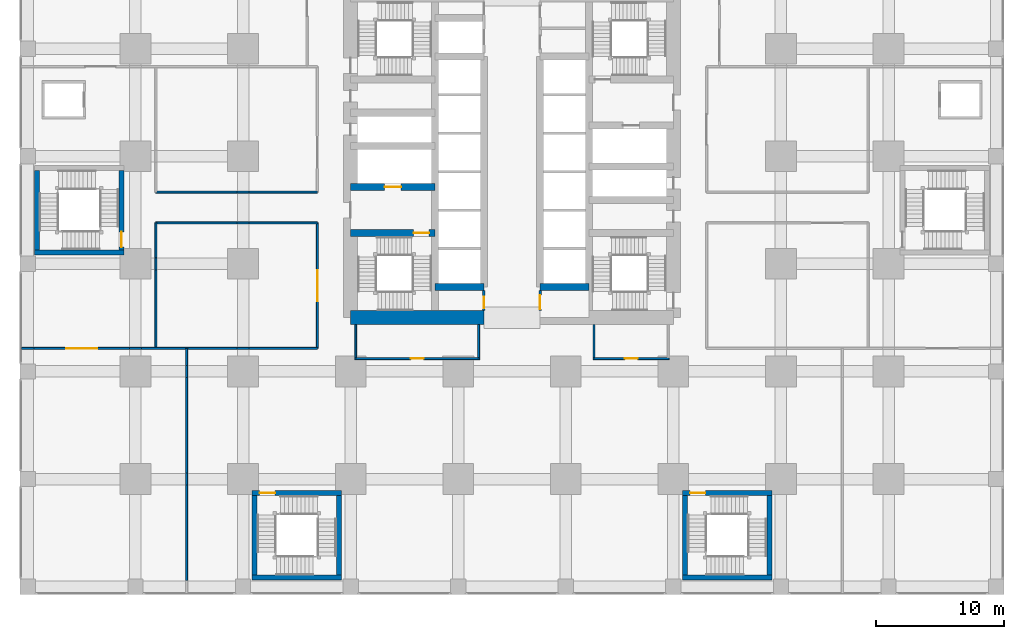
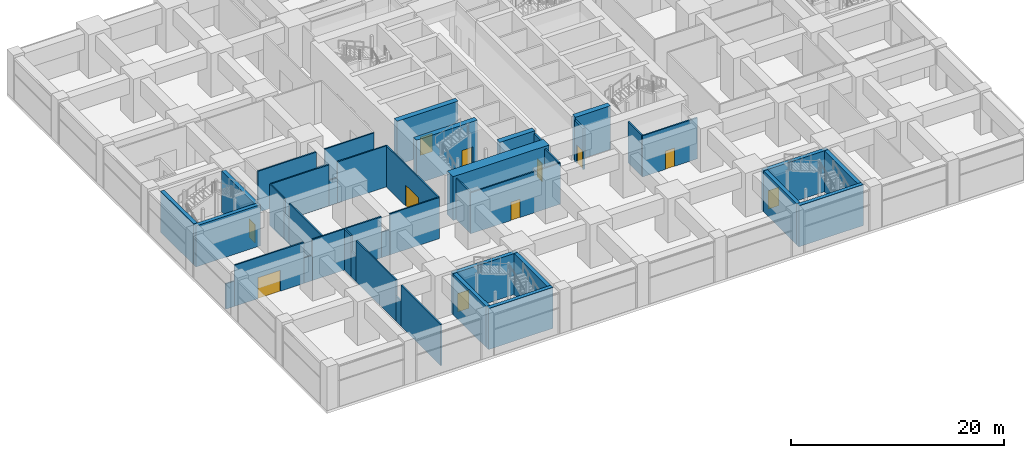
# One storey, part 36 of 49: 45 walls, 11 doors, 11 openings.
"""IFC4 building model written with IfcOpenShell, lengths in metres."""

from ifc_helpers import new_model, si_unit, direction, frame, frame_2d, origin, place, context, subcontext, project, spatial, rectangle, extrude, material, layer, layer_set, type_object, element, fill, save


model = new_model("IFC4")

# Units and contexts
model_context = context("Model", 3, precision=1e-05, world=origin(), true_north=direction((0.0, 1.0)))
body_context = subcontext(model_context, "Body", "Model", "MODEL_VIEW")
ifc_project = project(units=[si_unit("LENGTHUNIT", "METRE"), si_unit("AREAUNIT", "SQUARE_METRE"), si_unit("VOLUMEUNIT", "CUBIC_METRE"), si_unit("PLANEANGLEUNIT", "RADIAN"), si_unit("MASSUNIT", "GRAM", prefix="KILO")], contexts=[model_context])

# Site, building, storey
site_placement = place(None, origin())
site = spatial("IfcSite", under=ifc_project, at=site_placement, CompositionType="ELEMENT")
building_placement = place(site_placement, origin())
building = spatial("IfcBuilding", under=site, at=building_placement, Name="Rekha Terrace Tower", CompositionType="ELEMENT")
storey_placement = place(building_placement, frame((0.0, 0.0, 10.39990234375)))
storey = spatial("IfcBuildingStorey", under=building, at=storey_placement, Name="L02", CompositionType="ELEMENT", Elevation=10.39990234375)

# Walls
ifc_material_1 = material(Name="Concrete M70", Category="concrete")
ifc_layer_1 = layer(ifc_material_1, 0.550048828125)
ifc_layer_set_1 = layer_set([ifc_layer_1], Name="Concrete M70")
wall_type_1 = type_object("IfcWallType", Name="CI1 550 core internal shear wall", PredefinedType="SHEAR", material=ifc_layer_set_1)
for number, where, z_axis, x_axis, name in (
    (1, (31.800048828125, 23.39990234375, 0.0), (0.0, 0.0, 1.0), (1.0, 0.0, 0.0), "Core wall Y234W L02"),
    (2, (40.0, 23.39990234375, 0.0), (0.0, 0.0, 1.0), (1.0, 0.0, 0.0), "Core wall Y234E L02"),
):
    element("IfcWall", number, at=place(storey_placement, frame(where, z_axis=z_axis, x_axis=x_axis)), inside=storey, type_object=wall_type_1, Name=name, PredefinedType="SHEAR", context=body_context, shape_type="SweptSolid", body=[
        extrude(rectangle(XDim=3.800048828125, YDim=0.550048828125, at=frame_2d((1.89990234375, 0.0))), origin(), (0.0, 0.0, 1.0), 5.0),
    ])

# Wall, opening, door
wall_1_placement = place(storey_placement, frame((25.199951171875, 27.60009765625, 0.0), z_axis=(0.0, 0.0, 1.0), x_axis=(1.0, 0.0, 0.0)))
wall_1 = element("IfcWall", 3, at=wall_1_placement, inside=storey, type_object=wall_type_1, Name="Core wall Y276W L02", PredefinedType="SHEAR", context=body_context, shape_type="SweptSolid", body=[
    extrude(rectangle(XDim=6.60009765625, YDim=0.550048828125, at=frame_2d((3.300048828125, 0.0))), origin(), (0.0, 0.0, 1.0), 5.0),
])
opening_1_placement = place(wall_1_placement, frame((4.925048828125, 0.0, 0.0)))
opening_1 = element("IfcOpeningElement", 4, at=opening_1_placement, cuts=wall_1, Name="Opening D1", PredefinedType="OPENING", context=body_context, shape_type="SweptSolid", body=[
    extrude(rectangle(XDim=1.199951171875, YDim=2.10009765625, at=frame_2d((0.60009765625, 1.050048828125))), frame((0.0, 0.284912109375, 0.0), z_axis=(0.0, -1.0, 0.0), x_axis=(1.0, 0.0, 0.0)), (0.0, 0.0, 1.0), 0.570068359375),
])
ifc_material_2 = material(Name="Steel fire door", Category="steel")
door_type_1 = type_object("IfcDoorType", Name="D1 1200x2100 stair fire door", OperationType="SINGLE_SWING_RIGHT", PredefinedType="DOOR", material=ifc_material_2)
door_1_placement = place(opening_1_placement, origin())
door_1 = element("IfcDoor", 5, at=door_1_placement, inside=storey, type_object=door_type_1, Name="Stair ST1 door L02", OperationType="SINGLE_SWING_RIGHT", OverallHeight=2.10009765625, OverallWidth=1.199951171875, PredefinedType="DOOR", context=body_context, shape_type="SweptSolid", body=[
    extrude(rectangle(XDim=1.199951171875, YDim=2.10009765625, at=frame_2d((0.60009765625, 1.050048828125))), frame((0.0, 0.02490234375, 0.0), z_axis=(0.0, -1.0, 0.0), x_axis=(1.0, 0.0, 0.0)), (0.0, 0.0, 1.0), 0.050048828125),
])
fill(opening_1, door_1)

wall_2_placement = place(storey_placement, frame((25.199951171875, 31.199951171875, 0.0), z_axis=(0.0, 0.0, 1.0), x_axis=(1.0, 0.0, 0.0)))
wall_2 = element("IfcWall", 6, at=wall_2_placement, inside=storey, type_object=wall_type_1, Name="Core wall Y312W L02", PredefinedType="SHEAR", context=body_context, shape_type="SweptSolid", body=[
    extrude(rectangle(XDim=6.60009765625, YDim=0.550048828125, at=frame_2d((3.300048828125, 0.0))), origin(), (0.0, 0.0, 1.0), 5.0),
])
opening_2_placement = place(wall_2_placement, frame((2.64990234375, 0.0, 0.0)))
opening_2 = element("IfcOpeningElement", 7, at=opening_2_placement, cuts=wall_2, Name="Opening LD2", PredefinedType="OPENING", context=body_context, shape_type="SweptSolid", body=[
    extrude(rectangle(XDim=1.300048828125, YDim=2.10009765625, at=frame_2d((0.64990234375, 1.050048828125))), frame((0.0, 0.284912109375, 0.0), z_axis=(0.0, -1.0, 0.0), x_axis=(1.0, 0.0, 0.0)), (0.0, 0.0, 1.0), 0.570068359375),
])
ifc_material_3 = material(Name="Stainless steel sliding landing door", Category="steel")
door_type_2 = type_object("IfcDoorType", Name="LD2 1300x2100 fire lift landing door", OperationType="SLIDING_TO_LEFT", PredefinedType="USERDEFINED", material=ifc_material_3)
door_2_placement = place(opening_2_placement, origin())
door_2 = element("IfcDoor", 8, at=door_2_placement, inside=storey, type_object=door_type_2, Name="Lift FL1 landing door L02", ObjectType="LIFT LANDING DOOR", OperationType="SLIDING_TO_LEFT", OverallHeight=2.10009765625, OverallWidth=1.300048828125, PredefinedType="USERDEFINED", context=body_context, shape_type="SweptSolid", body=[
    extrude(rectangle(XDim=1.300048828125, YDim=2.10009765625, at=frame_2d((0.64990234375, 1.050048828125))), frame((0.0, 0.02490234375, 0.0), z_axis=(0.0, -1.0, 0.0), x_axis=(1.0, 0.0, 0.0)), (0.0, 0.0, 1.0), 0.050048828125),
])
fill(opening_2, door_2)

# Wall
ifc_layer_2 = layer(ifc_material_1, 1.10009765625)
ifc_layer_set_2 = layer_set([ifc_layer_2], Name="Concrete M70")
wall_type_2 = type_object("IfcWallType", Name="SW1 1100 core outer shear wall", PredefinedType="SHEAR", material=ifc_layer_set_2)
wall_3_placement = place(storey_placement, frame((25.199951171875, 21.0, 0.0), z_axis=(0.0, 0.0, 1.0), x_axis=(1.0, 0.0, 0.0)))
element("IfcWall", 9, at=wall_3_placement, inside=storey, type_object=wall_type_2, Name="Core wall S1 L02", PredefinedType="SHEAR", context=body_context, shape_type="SweptSolid", body=[
    extrude(rectangle(XDim=10.400146484375, YDim=1.10009765625, at=frame_2d((5.2001953125, 0.0))), origin(), (0.0, 0.0, 1.0), 5.0),
])

# Wall, opening, door
ifc_material_4 = material(Name="Concrete block masonry, 1 hour", Category="masonry")
ifc_layer_3 = layer(ifc_material_4, 0.14990234375)
ifc_layer_set_3 = layer_set([ifc_layer_3], Name="Concrete block masonry, 1 hour")
wall_type_3 = type_object("IfcWallType", Name="WP2 150 tenancy partition", PredefinedType="PARTITIONING", material=ifc_layer_set_3)
wall_4_placement = place(storey_placement, frame((25.52490234375, 17.800048828125, 0.0), z_axis=(0.0, 0.0, 1.0), x_axis=(1.0, 0.0, 0.0)))
wall_4 = element("IfcWall", 10, at=wall_4_placement, inside=storey, type_object=wall_type_3, Name="Men's WC wall L02", PredefinedType="PARTITIONING", context=body_context, shape_type="SweptSolid", body=[
    extrude(rectangle(XDim=9.75, YDim=0.14990234375, at=frame_2d((4.875, 0.0))), origin(), (0.0, 0.0, 1.0), 4.7001953125),
])
opening_3_placement = place(wall_4_placement, frame((4.375, 0.0, 0.0)))
opening_3 = element("IfcOpeningElement", 11, at=opening_3_placement, cuts=wall_4, Name="Opening D3", PredefinedType="OPENING", context=body_context, shape_type="SweptSolid", body=[
    extrude(rectangle(XDim=1.0, YDim=2.10009765625, at=frame_2d((0.5, 1.050048828125))), frame((0.0, 0.0849609375, 0.0), z_axis=(0.0, -1.0, 0.0), x_axis=(1.0, 0.0, 0.0)), (0.0, 0.0, 1.0), 0.169921875),
])
ifc_material_5 = material(Name="Laminated timber fire door", Category="wood")
door_type_3 = type_object("IfcDoorType", Name="D3 1000x2100 WC door", OperationType="SINGLE_SWING_LEFT", PredefinedType="DOOR", material=ifc_material_5)
door_3_placement = place(opening_3_placement, origin())
door_3 = element("IfcDoor", 12, at=door_3_placement, inside=storey, type_object=door_type_3, Name="Door men's wc L02", OperationType="SINGLE_SWING_LEFT", OverallHeight=2.10009765625, OverallWidth=1.0, PredefinedType="DOOR", context=body_context, shape_type="SweptSolid", body=[
    extrude(rectangle(XDim=1.0, YDim=2.10009765625, at=frame_2d((0.5, 1.050048828125))), frame((0.0, 0.02490234375, 0.0), z_axis=(0.0, -1.0, 0.0), x_axis=(1.0, 0.0, 0.0)), (0.0, 0.0, 1.0), 0.050048828125),
])
fill(opening_3, door_3)

# Walls
for number, where, z_axis, x_axis, name in (
    (13, (25.60009765625, 17.875, 0.0), (0.0, 0.0, 1.0), (0.0, 1.0, 0.0), "Men's WC wall L02"),
    (14, (35.199951171875, 17.875, 0.0), (0.0, 0.0, 1.0), (0.0, 1.0, 0.0), "Men's WC wall L02"),
):
    element("IfcWall", number, at=place(storey_placement, frame(where, z_axis=z_axis, x_axis=x_axis)), inside=storey, type_object=wall_type_3, Name=name, PredefinedType="PARTITIONING", context=body_context, shape_type="SweptSolid", body=[
        extrude(rectangle(XDim=2.574951171875, YDim=0.14990234375, at=frame_2d((1.28759765625, 0.0))), origin(), (0.0, 0.0, 1.0), 4.7001953125),
    ])

# Wall, opening, door
wall_5_placement = place(storey_placement, frame((44.125, 17.800048828125, 0.0), z_axis=(0.0, 0.0, 1.0), x_axis=(1.0, 0.0, 0.0)))
wall_5 = element("IfcWall", 15, at=wall_5_placement, inside=storey, type_object=wall_type_3, Name="Men's WC wall L02", PredefinedType="PARTITIONING", context=body_context, shape_type="SweptSolid", body=[
    extrude(rectangle(XDim=5.949951171875, YDim=0.14990234375, at=frame_2d((2.97509765625, 0.0))), origin(), (0.0, 0.0, 1.0), 4.7001953125),
])
opening_4_placement = place(wall_5_placement, frame((2.47509765625, 0.0, 0.0)))
opening_4 = element("IfcOpeningElement", 16, at=opening_4_placement, cuts=wall_5, Name="Opening D3", PredefinedType="OPENING", context=body_context, shape_type="SweptSolid", body=[
    extrude(rectangle(XDim=1.0, YDim=2.10009765625, at=frame_2d((0.5, 1.050048828125))), frame((0.0, 0.0849609375, 0.0), z_axis=(0.0, -1.0, 0.0), x_axis=(1.0, 0.0, 0.0)), (0.0, 0.0, 1.0), 0.169921875),
])
door_4_placement = place(opening_4_placement, origin())
door_4 = element("IfcDoor", 17, at=door_4_placement, inside=storey, type_object=door_type_3, Name="Door men's wc L02", OperationType="SINGLE_SWING_LEFT", OverallHeight=2.10009765625, OverallWidth=1.0, PredefinedType="DOOR", context=body_context, shape_type="SweptSolid", body=[
    extrude(rectangle(XDim=1.0, YDim=2.10009765625, at=frame_2d((0.5, 1.050048828125))), frame((0.0, 0.02490234375, 0.0), z_axis=(0.0, -1.0, 0.0), x_axis=(1.0, 0.0, 0.0)), (0.0, 0.0, 1.0), 0.050048828125),
])
fill(opening_4, door_4)

# Walls
wall_6_placement = place(storey_placement, frame((44.199951171875, 17.875, 0.0), z_axis=(0.0, 0.0, 1.0), x_axis=(0.0, 1.0, 0.0)))
element("IfcWall", 18, at=wall_6_placement, inside=storey, type_object=wall_type_3, Name="Men's WC wall L02", PredefinedType="PARTITIONING", context=body_context, shape_type="SweptSolid", body=[
    extrude(rectangle(XDim=2.574951171875, YDim=0.14990234375, at=frame_2d((1.28759765625, 0.0))), origin(), (0.0, 0.0, 1.0), 4.7001953125),
])
wall_7_placement = place(storey_placement, frame((-0.489990234375, 18.60009765625, 0.0), z_axis=(0.0, 0.0, 1.0), x_axis=(1.0, 0.0, 0.0)))
element("IfcWall", 19, at=wall_7_placement, inside=storey, type_object=wall_type_3, Name="Partition L02-04", PredefinedType="PARTITIONING", context=body_context, shape_type="SweptSolid", body=[
    extrude(rectangle(XDim=0.949951171875, YDim=0.14990234375, at=frame_2d((0.47509765625, 0.0))), origin(), (0.0, 0.0, 1.0), 2.900146484375),
])

# Wall, opening, door
wall_8_placement = place(storey_placement, frame((0.4599609375, 18.60009765625, 0.0), z_axis=(0.0, 0.0, 1.0), x_axis=(1.0, 0.0, 0.0)))
wall_8 = element("IfcWall", 20, at=wall_8_placement, inside=storey, type_object=wall_type_3, Name="Partition L02-04", PredefinedType="PARTITIONING", context=body_context, shape_type="SweptSolid", body=[
    extrude(rectangle(XDim=7.47998046875, YDim=0.14990234375, at=frame_2d((3.739990234375, 0.0))), origin(), (0.0, 0.0, 1.0), 4.7001953125),
])
opening_5_placement = place(wall_8_placement, frame((2.5400390625, 0.0, 0.0)))
opening_5 = element("IfcOpeningElement", 21, at=opening_5_placement, cuts=wall_8, Name="Opening D7", PredefinedType="OPENING", context=body_context, shape_type="SweptSolid", body=[
    extrude(rectangle(XDim=2.39990234375, YDim=2.39990234375, at=frame_2d((1.199951171875, 1.199951171875))), frame((0.0, 0.0849609375, 0.0), z_axis=(0.0, -1.0, 0.0), x_axis=(1.0, 0.0, 0.0)), (0.0, 0.0, 1.0), 0.169921875),
])
ifc_material_6 = material(Name="Glazed aluminium door", Category="aluminium")
door_type_4 = type_object("IfcDoorType", Name="D7 2400x2400 shopfront double door", OperationType="DOUBLE_DOOR_SINGLE_SWING", PredefinedType="DOOR", material=ifc_material_6)
door_5_placement = place(opening_5_placement, origin())
door_5 = element("IfcDoor", 22, at=door_5_placement, inside=storey, type_object=door_type_4, Name="Door retail unit 11 L02", OperationType="DOUBLE_DOOR_SINGLE_SWING", OverallHeight=2.39990234375, OverallWidth=2.39990234375, PredefinedType="DOOR", context=body_context, shape_type="SweptSolid", body=[
    extrude(rectangle(XDim=2.39990234375, YDim=2.39990234375, at=frame_2d((1.199951171875, 1.199951171875))), frame((0.0, 0.02490234375, 0.0), z_axis=(0.0, -1.0, 0.0), x_axis=(1.0, 0.0, 0.0)), (0.0, 0.0, 1.0), 0.050048828125),
])
fill(opening_5, door_5)

# Walls
wall_9_placement = place(storey_placement, frame((7.93994140625, 18.60009765625, 0.0), z_axis=(0.0, 0.0, 1.0), x_axis=(1.0, 0.0, 0.0)))
element("IfcWall", 23, at=wall_9_placement, inside=storey, type_object=wall_type_3, Name="Partition L02-04", PredefinedType="PARTITIONING", context=body_context, shape_type="SweptSolid", body=[
    extrude(rectangle(XDim=0.920166015625, YDim=0.14990234375, at=frame_2d((0.4599609375, 0.0))), origin(), (0.0, 0.0, 1.0), 2.900146484375),
])
wall_10_placement = place(storey_placement, frame((8.860107421875, 18.60009765625, 0.0), z_axis=(0.0, 0.0, 1.0), x_axis=(1.0, 0.0, 0.0)))
element("IfcWall", 24, at=wall_10_placement, inside=storey, type_object=wall_type_3, Name="Partition L02-04", PredefinedType="PARTITIONING", context=body_context, shape_type="SweptSolid", body=[
    extrude(rectangle(XDim=3.539794921875, YDim=0.14990234375, at=frame_2d((1.77001953125, 0.0))), origin(), (0.0, 0.0, 1.0), 4.7001953125),
])
wall_11_placement = place(storey_placement, frame((12.39990234375, 18.60009765625, 0.0), z_axis=(0.0, 0.0, 1.0), x_axis=(0.0, -1.0, 0.0)))
element("IfcWall", 25, at=wall_11_placement, inside=storey, type_object=wall_type_3, Name="Partition L02-04", PredefinedType="PARTITIONING", context=body_context, shape_type="SweptSolid", body=[
    extrude(rectangle(XDim=1.340087890625, YDim=0.14990234375, at=frame_2d((0.669921875, 0.0))), origin(), (0.0, 0.0, 1.0), 4.7001953125),
])
wall_12_placement = place(storey_placement, frame((12.39990234375, 17.260009765625, 0.0), z_axis=(0.0, 0.0, 1.0), x_axis=(0.0, -1.0, 0.0)))
element("IfcWall", 26, at=wall_12_placement, inside=storey, type_object=wall_type_3, Name="Partition L02-04", PredefinedType="PARTITIONING", context=body_context, shape_type="SweptSolid", body=[
    extrude(rectangle(XDim=0.919921875, YDim=0.14990234375, at=frame_2d((0.4599609375, 0.0))), origin(), (0.0, 0.0, 1.0), 2.900146484375),
])
wall_13_placement = place(storey_placement, frame((12.39990234375, 16.340087890625, 0.0), z_axis=(0.0, 0.0, 1.0), x_axis=(0.0, -1.0, 0.0)))
element("IfcWall", 27, at=wall_13_placement, inside=storey, type_object=wall_type_3, Name="Partition L02-04", PredefinedType="PARTITIONING", context=body_context, shape_type="SweptSolid", body=[
    extrude(rectangle(XDim=7.47998046875, YDim=0.14990234375, at=frame_2d((3.739990234375, 0.0))), origin(), (0.0, 0.0, 1.0), 4.7001953125),
])
wall_14_placement = place(storey_placement, frame((12.39990234375, 8.860107421875, 0.0), z_axis=(0.0, 0.0, 1.0), x_axis=(0.0, -1.0, 0.0)))
element("IfcWall", 28, at=wall_14_placement, inside=storey, type_object=wall_type_3, Name="Partition L02-04", PredefinedType="PARTITIONING", context=body_context, shape_type="SweptSolid", body=[
    extrude(rectangle(XDim=0.920166015625, YDim=0.14990234375, at=frame_2d((0.4599609375, 0.0))), origin(), (0.0, 0.0, 1.0), 2.900146484375),
])
wall_15_placement = place(storey_placement, frame((12.39990234375, 7.93994140625, 0.0), z_axis=(0.0, 0.0, 1.0), x_axis=(0.0, -1.0, 0.0)))
element("IfcWall", 29, at=wall_15_placement, inside=storey, type_object=wall_type_3, Name="Partition L02-04", PredefinedType="PARTITIONING", context=body_context, shape_type="SweptSolid", body=[
    extrude(rectangle(XDim=7.47998046875, YDim=0.14990234375, at=frame_2d((3.739990234375, 0.0))), origin(), (0.0, 0.0, 1.0), 4.7001953125),
])
wall_16_placement = place(storey_placement, frame((10.0, 28.39990234375, 0.0), z_axis=(0.0, 0.0, 1.0), x_axis=(1.0, 0.0, 0.0)))
element("IfcWall", 30, at=wall_16_placement, inside=storey, type_object=wall_type_3, Name="Partition L02-07", PredefinedType="PARTITIONING", context=body_context, shape_type="SweptSolid", body=[
    extrude(rectangle(XDim=6.340087890625, YDim=0.14990234375, at=frame_2d((3.169921875, 0.0))), origin(), (0.0, 0.0, 1.0), 4.7001953125),
])
wall_17_placement = place(storey_placement, frame((16.340087890625, 28.39990234375, 0.0), z_axis=(0.0, 0.0, 1.0), x_axis=(1.0, 0.0, 0.0)))
element("IfcWall", 31, at=wall_17_placement, inside=storey, type_object=wall_type_3, Name="Partition L02-07", PredefinedType="PARTITIONING", context=body_context, shape_type="SweptSolid", body=[
    extrude(rectangle(XDim=0.919921875, YDim=0.14990234375, at=frame_2d((0.4599609375, 0.0))), origin(), (0.0, 0.0, 1.0), 2.900146484375),
])
wall_18_placement = place(storey_placement, frame((17.260009765625, 28.39990234375, 0.0), z_axis=(0.0, 0.0, 1.0), x_axis=(1.0, 0.0, 0.0)))
element("IfcWall", 32, at=wall_18_placement, inside=storey, type_object=wall_type_3, Name="Partition L02-07", PredefinedType="PARTITIONING", context=body_context, shape_type="SweptSolid", body=[
    extrude(rectangle(XDim=5.340087890625, YDim=0.14990234375, at=frame_2d((2.669921875, 0.0))), origin(), (0.0, 0.0, 1.0), 4.7001953125),
])

# Wall, opening, door
wall_19_placement = place(storey_placement, frame((22.60009765625, 28.39990234375, 0.0), z_axis=(0.0, 0.0, 1.0), x_axis=(0.0, -1.0, 0.0)))
wall_19 = element("IfcWall", 33, at=wall_19_placement, inside=storey, type_object=wall_type_3, Name="Partition L02-07", PredefinedType="PARTITIONING", context=body_context, shape_type="SweptSolid", body=[
    extrude(rectangle(XDim=9.7998046875, YDim=0.14990234375, at=frame_2d((4.89990234375, 0.0))), origin(), (0.0, 0.0, 1.0), 4.7001953125),
])
opening_6_placement = place(wall_19_placement, frame((3.699951171875, 0.0, 0.0)))
opening_6 = element("IfcOpeningElement", 34, at=opening_6_placement, cuts=wall_19, Name="Opening D7", PredefinedType="OPENING", context=body_context, shape_type="SweptSolid", body=[
    extrude(rectangle(XDim=2.39990234375, YDim=2.39990234375, at=frame_2d((1.199951171875, 1.199951171875))), frame((0.0, 0.0849609375, 0.0), z_axis=(0.0, -1.0, 0.0), x_axis=(1.0, 0.0, 0.0)), (0.0, 0.0, 1.0), 0.169921875),
])
door_6_placement = place(opening_6_placement, origin())
door_6 = element("IfcDoor", 35, at=door_6_placement, inside=storey, type_object=door_type_4, Name="Door retail kiosk 3 L02", OperationType="DOUBLE_DOOR_SINGLE_SWING", OverallHeight=2.39990234375, OverallWidth=2.39990234375, PredefinedType="DOOR", context=body_context, shape_type="SweptSolid", body=[
    extrude(rectangle(XDim=2.39990234375, YDim=2.39990234375, at=frame_2d((1.199951171875, 1.199951171875))), frame((0.0, 0.02490234375, 0.0), z_axis=(0.0, -1.0, 0.0), x_axis=(1.0, 0.0, 0.0)), (0.0, 0.0, 1.0), 0.050048828125),
])
fill(opening_6, door_6)

# Walls
wall_20_placement = place(storey_placement, frame((22.60009765625, 18.60009765625, 0.0), z_axis=(0.0, 0.0, 1.0), x_axis=(-1.0, 0.0, 0.0)))
element("IfcWall", 36, at=wall_20_placement, inside=storey, type_object=wall_type_3, Name="Partition L02-07", PredefinedType="PARTITIONING", context=body_context, shape_type="SweptSolid", body=[
    extrude(rectangle(XDim=5.340087890625, YDim=0.14990234375, at=frame_2d((2.669921875, 0.0))), origin(), (0.0, 0.0, 1.0), 4.7001953125),
])
wall_21_placement = place(storey_placement, frame((17.260009765625, 18.60009765625, 0.0), z_axis=(0.0, 0.0, 1.0), x_axis=(-1.0, 0.0, 0.0)))
element("IfcWall", 37, at=wall_21_placement, inside=storey, type_object=wall_type_3, Name="Partition L02-07", PredefinedType="PARTITIONING", context=body_context, shape_type="SweptSolid", body=[
    extrude(rectangle(XDim=0.919921875, YDim=0.14990234375, at=frame_2d((0.4599609375, 0.0))), origin(), (0.0, 0.0, 1.0), 2.900146484375),
])
wall_22_placement = place(storey_placement, frame((16.340087890625, 18.60009765625, 0.0), z_axis=(0.0, 0.0, 1.0), x_axis=(-1.0, 0.0, 0.0)))
element("IfcWall", 38, at=wall_22_placement, inside=storey, type_object=wall_type_3, Name="Partition L02-07", PredefinedType="PARTITIONING", context=body_context, shape_type="SweptSolid", body=[
    extrude(rectangle(XDim=3.940185546875, YDim=0.14990234375, at=frame_2d((1.97021484375, 0.0))), origin(), (0.0, 0.0, 1.0), 4.7001953125),
])
wall_23_placement = place(storey_placement, frame((10.0, 18.675048828125, 0.0), z_axis=(0.0, 0.0, 1.0), x_axis=(0.0, 1.0, 0.0)))
element("IfcWall", 39, at=wall_23_placement, inside=storey, type_object=wall_type_3, Name="Partition L02-07", PredefinedType="PARTITIONING", context=body_context, shape_type="SweptSolid", body=[
    extrude(rectangle(XDim=6.06494140625, YDim=0.14990234375, at=frame_2d((3.032470703125, 0.0))), origin(), (0.0, 0.0, 1.0), 4.7001953125),
])
wall_24_placement = place(storey_placement, frame((10.0, 24.739990234375, 0.0), z_axis=(0.0, 0.0, 1.0), x_axis=(0.0, 1.0, 0.0)))
element("IfcWall", 40, at=wall_24_placement, inside=storey, type_object=wall_type_3, Name="Partition L02-07", PredefinedType="PARTITIONING", context=body_context, shape_type="SweptSolid", body=[
    extrude(rectangle(XDim=0.919921875, YDim=0.14990234375, at=frame_2d((0.4599609375, 0.0))), origin(), (0.0, 0.0, 1.0), 2.900146484375),
])
wall_25_placement = place(storey_placement, frame((10.0, 25.659912109375, 0.0), z_axis=(0.0, 0.0, 1.0), x_axis=(0.0, 1.0, 0.0)))
element("IfcWall", 41, at=wall_25_placement, inside=storey, type_object=wall_type_3, Name="Partition L02-07", PredefinedType="PARTITIONING", context=body_context, shape_type="SweptSolid", body=[
    extrude(rectangle(XDim=2.739990234375, YDim=0.14990234375, at=frame_2d((1.3701171875, 0.0))), origin(), (0.0, 0.0, 1.0), 4.7001953125),
])
wall_26_placement = place(storey_placement, frame((22.60009765625, 30.800048828125, 0.0), z_axis=(0.0, 0.0, 1.0), x_axis=(-1.0, 0.0, 0.0)))
element("IfcWall", 42, at=wall_26_placement, inside=storey, type_object=wall_type_3, Name="Partition L02-08", PredefinedType="PARTITIONING", context=body_context, shape_type="SweptSolid", body=[
    extrude(rectangle(XDim=5.340087890625, YDim=0.14990234375, at=frame_2d((2.669921875, 0.0))), origin(), (0.0, 0.0, 1.0), 4.7001953125),
])
wall_27_placement = place(storey_placement, frame((17.260009765625, 30.800048828125, 0.0), z_axis=(0.0, 0.0, 1.0), x_axis=(-1.0, 0.0, 0.0)))
element("IfcWall", 43, at=wall_27_placement, inside=storey, type_object=wall_type_3, Name="Partition L02-08", PredefinedType="PARTITIONING", context=body_context, shape_type="SweptSolid", body=[
    extrude(rectangle(XDim=0.919921875, YDim=0.14990234375, at=frame_2d((0.4599609375, 0.0))), origin(), (0.0, 0.0, 1.0), 2.900146484375),
])
wall_28_placement = place(storey_placement, frame((16.340087890625, 30.800048828125, 0.0), z_axis=(0.0, 0.0, 1.0), x_axis=(-1.0, 0.0, 0.0)))
element("IfcWall", 44, at=wall_28_placement, inside=storey, type_object=wall_type_3, Name="Partition L02-08", PredefinedType="PARTITIONING", context=body_context, shape_type="SweptSolid", body=[
    extrude(rectangle(XDim=6.340087890625, YDim=0.14990234375, at=frame_2d((3.169921875, 0.0))), origin(), (0.0, 0.0, 1.0), 4.7001953125),
])

# Wall, opening, door
ifc_material_7 = material(Name="Solid concrete block masonry, 2 hour", Category="masonry")
ifc_layer_4 = layer(ifc_material_7, 0.199951171875)
ifc_layer_set_4 = layer_set([ifc_layer_4], Name="Solid concrete block masonry, 2 hour")
wall_type_4 = type_object("IfcWallType", Name="WS1 200 stair and shaft enclosure", PredefinedType="PARTITIONING", material=ifc_layer_set_4)
wall_29_placement = place(storey_placement, frame((40.0, 21.550048828125, 0.0), z_axis=(0.0, 0.0, 1.0), x_axis=(0.0, 1.0, 0.0)))
wall_29 = element("IfcWall", 45, at=wall_29_placement, inside=storey, type_object=wall_type_4, Name="Core partition wca L02", PredefinedType="PARTITIONING", context=body_context, shape_type="SweptSolid", body=[
    extrude(rectangle(XDim=1.574951171875, YDim=0.199951171875, at=frame_2d((0.78759765625, 0.0))), origin(), (0.0, 0.0, 1.0), 4.7001953125),
])
opening_7_placement = place(wall_29_placement, frame((0.10009765625, 0.0, 0.0)))
opening_7 = element("IfcOpeningElement", 46, at=opening_7_placement, cuts=wall_29, Name="Opening D4", PredefinedType="OPENING", context=body_context, shape_type="SweptSolid", body=[
    extrude(rectangle(XDim=1.10009765625, YDim=2.10009765625, at=frame_2d((0.550048828125, 1.050048828125))), frame((0.0, 0.10986328125, 0.0), z_axis=(0.0, -1.0, 0.0), x_axis=(1.0, 0.0, 0.0)), (0.0, 0.0, 1.0), 0.219970703125),
])
door_type_5 = type_object("IfcDoorType", Name="D4 1100x2100 accessible WC door", OperationType="SLIDING_TO_LEFT", PredefinedType="DOOR", material=ifc_material_5)
door_7_placement = place(opening_7_placement, origin())
door_7 = element("IfcDoor", 47, at=door_7_placement, inside=storey, type_object=door_type_5, Name="Door wca L02", OperationType="SLIDING_TO_LEFT", OverallHeight=2.10009765625, OverallWidth=1.10009765625, PredefinedType="DOOR", context=body_context, shape_type="SweptSolid", body=[
    extrude(rectangle(XDim=1.10009765625, YDim=2.10009765625, at=frame_2d((0.550048828125, 1.050048828125))), frame((0.0, 0.02490234375, 0.0), z_axis=(0.0, -1.0, 0.0), x_axis=(1.0, 0.0, 0.0)), (0.0, 0.0, 1.0), 0.050048828125),
])
fill(opening_7, door_7)

wall_30_placement = place(storey_placement, frame((35.60009765625, 21.550048828125, 0.0), z_axis=(0.0, 0.0, 1.0), x_axis=(0.0, 1.0, 0.0)))
wall_30 = element("IfcWall", 48, at=wall_30_placement, inside=storey, type_object=wall_type_4, Name="Core partition west L02", PredefinedType="PARTITIONING", context=body_context, shape_type="SweptSolid", body=[
    extrude(rectangle(XDim=1.574951171875, YDim=0.199951171875, at=frame_2d((0.78759765625, 0.0))), origin(), (0.0, 0.0, 1.0), 4.7001953125),
])
opening_8_placement = place(wall_30_placement, frame((0.199951171875, 0.0, 0.0)))
opening_8 = element("IfcOpeningElement", 49, at=opening_8_placement, cuts=wall_30, Name="Opening D5", PredefinedType="OPENING", context=body_context, shape_type="SweptSolid", body=[
    extrude(rectangle(XDim=0.89990234375, YDim=2.10009765625, at=frame_2d((0.449951171875, 1.050048828125))), frame((0.0, 0.10986328125, 0.0), z_axis=(0.0, -1.0, 0.0), x_axis=(1.0, 0.0, 0.0)), (0.0, 0.0, 1.0), 0.219970703125),
])
door_type_6 = type_object("IfcDoorType", Name="D5 900x2100 riser access door", OperationType="SINGLE_SWING_LEFT", PredefinedType="DOOR", material=ifc_material_2)
door_8_placement = place(opening_8_placement, origin())
door_8 = element("IfcDoor", 50, at=door_8_placement, inside=storey, type_object=door_type_6, Name="Door cleaner's store L02", OperationType="SINGLE_SWING_LEFT", OverallHeight=2.10009765625, OverallWidth=0.89990234375, PredefinedType="DOOR", context=body_context, shape_type="SweptSolid", body=[
    extrude(rectangle(XDim=0.89990234375, YDim=2.10009765625, at=frame_2d((0.449951171875, 1.050048828125))), frame((0.0, 0.02490234375, 0.0), z_axis=(0.0, -1.0, 0.0), x_axis=(1.0, 0.0, 0.0)), (0.0, 0.0, 1.0), 0.050048828125),
])
fill(opening_8, door_8)

# Walls
ifc_material_8 = material(Name="Concrete M60", Category="concrete")
ifc_layer_5 = layer(ifc_material_8, 0.39990234375)
ifc_layer_set_5 = layer_set([ifc_layer_5], Name="Concrete M60")
wall_type_5 = type_object("IfcWallType", Name="WS3 400 RC podium stair wall", PredefinedType="SOLIDWALL", material=ifc_layer_set_5)
wall_31_placement = place(storey_placement, frame((0.5, 26.10009765625, 0.0), z_axis=(0.0, 0.0, 1.0), x_axis=(1.0, 0.0, 0.0)))
element("IfcWall", 51, at=wall_31_placement, inside=storey, type_object=wall_type_5, Name="Stair SP1 south wall", PredefinedType="SOLIDWALL", context=body_context, shape_type="SweptSolid", body=[
    extrude(rectangle(XDim=7.0, YDim=0.39990234375, at=frame_2d((3.5, 0.0))), origin(), (0.0, 0.0, 1.0), 4.7001953125),
])
wall_32_placement = place(storey_placement, frame((0.699951171875, 26.300048828125, 0.0), z_axis=(0.0, 0.0, 1.0), x_axis=(0.0, 1.0, 0.0)))
element("IfcWall", 52, at=wall_32_placement, inside=storey, type_object=wall_type_5, Name="Stair SP1 west wall", PredefinedType="SOLIDWALL", context=body_context, shape_type="SweptSolid", body=[
    extrude(rectangle(XDim=6.199951171875, YDim=0.39990234375, at=frame_2d((3.10009765625, 0.0))), origin(), (0.0, 0.0, 1.0), 4.7001953125),
])

# Wall, opening, door
wall_33_placement = place(storey_placement, frame((7.300048828125, 26.300048828125, 0.0), z_axis=(0.0, 0.0, 1.0), x_axis=(0.0, 1.0, 0.0)))
wall_33 = element("IfcWall", 53, at=wall_33_placement, inside=storey, type_object=wall_type_5, Name="Stair SP1 east wall", PredefinedType="SOLIDWALL", context=body_context, shape_type="SweptSolid", body=[
    extrude(rectangle(XDim=6.199951171875, YDim=0.39990234375, at=frame_2d((3.10009765625, 0.0))), origin(), (0.0, 0.0, 1.0), 4.7001953125),
])
opening_9_placement = place(wall_33_placement, frame((0.199951171875, 0.0, 0.0)))
opening_9 = element("IfcOpeningElement", 54, at=opening_9_placement, cuts=wall_33, Name="Opening D1", PredefinedType="OPENING", context=body_context, shape_type="SweptSolid", body=[
    extrude(rectangle(XDim=1.199951171875, YDim=2.10009765625, at=frame_2d((0.60009765625, 1.050048828125))), frame((0.0, 0.2099609375, 0.0), z_axis=(0.0, -1.0, 0.0), x_axis=(1.0, 0.0, 0.0)), (0.0, 0.0, 1.0), 0.419921875),
])
door_9_placement = place(opening_9_placement, origin())
door_9 = element("IfcDoor", 55, at=door_9_placement, inside=storey, type_object=door_type_1, Name="Stair SP1 door L02", OperationType="SINGLE_SWING_RIGHT", OverallHeight=2.10009765625, OverallWidth=1.199951171875, PredefinedType="DOOR", context=body_context, shape_type="SweptSolid", body=[
    extrude(rectangle(XDim=1.199951171875, YDim=2.10009765625, at=frame_2d((0.60009765625, 1.050048828125))), frame((0.0, 0.02490234375, 0.0), z_axis=(0.0, -1.0, 0.0), x_axis=(1.0, 0.0, 0.0)), (0.0, 0.0, 1.0), 0.050048828125),
])
fill(opening_9, door_9)

# Wall
wall_34_placement = place(storey_placement, frame((17.5, 0.699951171875, 0.0), z_axis=(0.0, 0.0, 1.0), x_axis=(1.0, 0.0, 0.0)))
element("IfcWall", 56, at=wall_34_placement, inside=storey, type_object=wall_type_5, Name="Stair SP3 south wall", PredefinedType="SOLIDWALL", context=body_context, shape_type="SweptSolid", body=[
    extrude(rectangle(XDim=7.0, YDim=0.39990234375, at=frame_2d((3.5, 0.0))), origin(), (0.0, 0.0, 1.0), 4.7001953125),
])

# Wall, opening, door
wall_35_placement = place(storey_placement, frame((17.5, 7.300048828125, 0.0), z_axis=(0.0, 0.0, 1.0), x_axis=(1.0, 0.0, 0.0)))
wall_35 = element("IfcWall", 57, at=wall_35_placement, inside=storey, type_object=wall_type_5, Name="Stair SP3 north wall", PredefinedType="SOLIDWALL", context=body_context, shape_type="SweptSolid", body=[
    extrude(rectangle(XDim=7.0, YDim=0.39990234375, at=frame_2d((3.5, 0.0))), origin(), (0.0, 0.0, 1.0), 4.7001953125),
])
opening_10_placement = place(wall_35_placement, frame((0.60009765625, 0.0, 0.0)))
opening_10 = element("IfcOpeningElement", 58, at=opening_10_placement, cuts=wall_35, Name="Opening D1", PredefinedType="OPENING", context=body_context, shape_type="SweptSolid", body=[
    extrude(rectangle(XDim=1.199951171875, YDim=2.10009765625, at=frame_2d((0.60009765625, 1.050048828125))), frame((0.0, 0.2099609375, 0.0), z_axis=(0.0, -1.0, 0.0), x_axis=(1.0, 0.0, 0.0)), (0.0, 0.0, 1.0), 0.419921875),
])
door_10_placement = place(opening_10_placement, origin())
door_10 = element("IfcDoor", 59, at=door_10_placement, inside=storey, type_object=door_type_1, Name="Stair SP3 door L02", OperationType="SINGLE_SWING_RIGHT", OverallHeight=2.10009765625, OverallWidth=1.199951171875, PredefinedType="DOOR", context=body_context, shape_type="SweptSolid", body=[
    extrude(rectangle(XDim=1.199951171875, YDim=2.10009765625, at=frame_2d((0.60009765625, 1.050048828125))), frame((0.0, 0.02490234375, 0.0), z_axis=(0.0, -1.0, 0.0), x_axis=(1.0, 0.0, 0.0)), (0.0, 0.0, 1.0), 0.050048828125),
])
fill(opening_10, door_10)

# Walls
for number, where, z_axis, x_axis, name in (
    (60, (17.699951171875, 0.89990234375, 0.0), (0.0, 0.0, 1.0), (0.0, 1.0, 0.0), "Stair SP3 west wall"),
    (61, (24.300048828125, 0.89990234375, 0.0), (0.0, 0.0, 1.0), (0.0, 1.0, 0.0), "Stair SP3 east wall"),
):
    element("IfcWall", number, at=place(storey_placement, frame(where, z_axis=z_axis, x_axis=x_axis)), inside=storey, type_object=wall_type_5, Name=name, PredefinedType="SOLIDWALL", context=body_context, shape_type="SweptSolid", body=[
        extrude(rectangle(XDim=6.2001953125, YDim=0.39990234375, at=frame_2d((3.10009765625, 0.0))), origin(), (0.0, 0.0, 1.0), 4.7001953125),
    ])
wall_36_placement = place(storey_placement, frame((51.10009765625, 0.699951171875, 0.0), z_axis=(0.0, 0.0, 1.0), x_axis=(1.0, 0.0, 0.0)))
element("IfcWall", 62, at=wall_36_placement, inside=storey, type_object=wall_type_5, Name="Stair SP4 south wall", PredefinedType="SOLIDWALL", context=body_context, shape_type="SweptSolid", body=[
    extrude(rectangle(XDim=7.0, YDim=0.39990234375, at=frame_2d((3.5, 0.0))), origin(), (0.0, 0.0, 1.0), 4.7001953125),
])

# Wall, opening, door
wall_37_placement = place(storey_placement, frame((51.10009765625, 7.300048828125, 0.0), z_axis=(0.0, 0.0, 1.0), x_axis=(1.0, 0.0, 0.0)))
wall_37 = element("IfcWall", 63, at=wall_37_placement, inside=storey, type_object=wall_type_5, Name="Stair SP4 north wall", PredefinedType="SOLIDWALL", context=body_context, shape_type="SweptSolid", body=[
    extrude(rectangle(XDim=7.0, YDim=0.39990234375, at=frame_2d((3.5, 0.0))), origin(), (0.0, 0.0, 1.0), 4.7001953125),
])
opening_11_placement = place(wall_37_placement, frame((0.60009765625, 0.0, 0.0)))
opening_11 = element("IfcOpeningElement", 64, at=opening_11_placement, cuts=wall_37, Name="Opening D1", PredefinedType="OPENING", context=body_context, shape_type="SweptSolid", body=[
    extrude(rectangle(XDim=1.199951171875, YDim=2.10009765625, at=frame_2d((0.60009765625, 1.050048828125))), frame((0.0, 0.2099609375, 0.0), z_axis=(0.0, -1.0, 0.0), x_axis=(1.0, 0.0, 0.0)), (0.0, 0.0, 1.0), 0.419921875),
])
door_11_placement = place(opening_11_placement, origin())
door_11 = element("IfcDoor", 65, at=door_11_placement, inside=storey, type_object=door_type_1, Name="Stair SP4 door L02", OperationType="SINGLE_SWING_RIGHT", OverallHeight=2.10009765625, OverallWidth=1.199951171875, PredefinedType="DOOR", context=body_context, shape_type="SweptSolid", body=[
    extrude(rectangle(XDim=1.199951171875, YDim=2.10009765625, at=frame_2d((0.60009765625, 1.050048828125))), frame((0.0, 0.02490234375, 0.0), z_axis=(0.0, -1.0, 0.0), x_axis=(1.0, 0.0, 0.0)), (0.0, 0.0, 1.0), 0.050048828125),
])
fill(opening_11, door_11)

# Walls
for number, where, z_axis, x_axis, name in (
    (66, (51.300048828125, 0.89990234375, 0.0), (0.0, 0.0, 1.0), (0.0, 1.0, 0.0), "Stair SP4 west wall"),
    (67, (57.89990234375, 0.89990234375, 0.0), (0.0, 0.0, 1.0), (0.0, 1.0, 0.0), "Stair SP4 east wall"),
):
    element("IfcWall", number, at=place(storey_placement, frame(where, z_axis=z_axis, x_axis=x_axis)), inside=storey, type_object=wall_type_5, Name=name, PredefinedType="SOLIDWALL", context=body_context, shape_type="SweptSolid", body=[
        extrude(rectangle(XDim=6.2001953125, YDim=0.39990234375, at=frame_2d((3.10009765625, 0.0))), origin(), (0.0, 0.0, 1.0), 4.7001953125),
    ])

save(model, "model.ifc")
